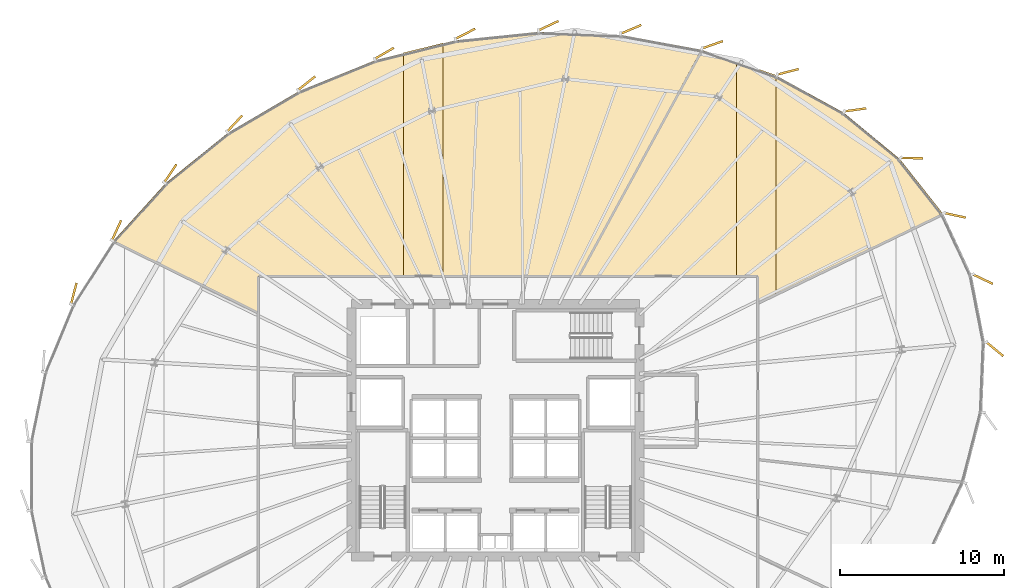
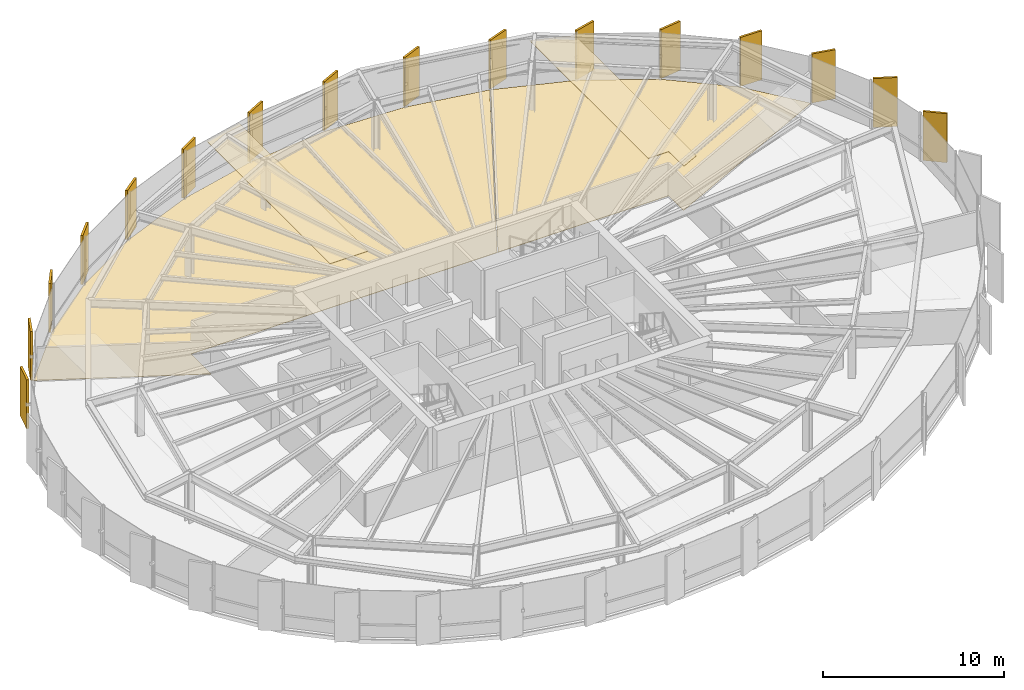
# One storey, part 35 of 35: 20 coverings.
"""IFC4 building model written with IfcOpenShell, lengths in metres."""

from ifc_helpers import new_model, si_unit, direction, frame, origin, origin_2d, place, context, subcontext, project, spatial, polyline, rectangle, outline, extrude, source, transform, mapped, material, layer, layer_set, type_object, element, save


model = new_model("IFC4")

# Units and contexts
model_context = context("Model", 3, precision=1e-05, world=origin(), true_north=direction((0.0, 1.0)))
body_context = subcontext(model_context, "Body", "Model", "MODEL_VIEW")
ifc_project = project(units=[si_unit("LENGTHUNIT", "METRE"), si_unit("AREAUNIT", "SQUARE_METRE"), si_unit("VOLUMEUNIT", "CUBIC_METRE"), si_unit("PLANEANGLEUNIT", "RADIAN"), si_unit("MASSUNIT", "GRAM", prefix="KILO"), si_unit("THERMODYNAMICTEMPERATUREUNIT", "KELVIN")], contexts=[model_context])

# Site, building, storey
site_placement = place(None, origin())
site = spatial("IfcSite", under=ifc_project, at=site_placement, CompositionType="ELEMENT")
building_placement = place(site_placement, origin())
building = spatial("IfcBuilding", under=site, at=building_placement, Name="Kethvar Cultural Tower", CompositionType="ELEMENT")
storey_placement = place(building_placement, frame((0.0, 0.0, 107.199951171875)))
storey = spatial("IfcBuildingStorey", under=building, at=storey_placement, Name="L26", CompositionType="ELEMENT", Elevation=107.199951171875)

# Coverings
ifc_material_1 = material(Name="Acoustic Mineral Fibre Ceiling")
ifc_layer_1 = layer(ifc_material_1, 0.0400390625, Name="Acoustic Mineral Fibre Ceiling")
ifc_layer_set_1 = layer_set([ifc_layer_1], Name="Acoustic Mineral Fibre Ceiling (40 mm)")
covering_type_1 = type_object("IfcCoveringType", Name="CV-ACOUSTIC-CEIL", PredefinedType="CEILING", material=ifc_layer_set_1)
covering_1_placement = place(storey_placement, frame((0.0, 0.0, 3.0)))
element("IfcCovering", 1, at=covering_1_placement, inside=storey, type_object=covering_type_1, Name="L26 Room 04 Acoustic Ceiling Panel", PredefinedType="CEILING", context=body_context, shape_type="SweptSolid", body=[
    extrude(outline(polyline([(62.838623046875, 35.534423828125), (62.81005859375, 37.179931640625), (61.512939453125, 37.179931640625), (61.512939453125, 50.32568359375), (63.943115234375, 49.481201171875), (63.943115234375, 36.068603515625), (62.838623046875, 35.534423828125)])), origin(), (0.0, 0.0, 1.0), 0.0400390625),
])
covering_2_placement = place(storey_placement, frame((0.0, 0.0, 3.0)))
element("IfcCovering", 2, at=covering_2_placement, inside=storey, type_object=covering_type_1, Name="L26 Room 05 Acoustic Ceiling Panel", PredefinedType="CEILING", context=body_context, shape_type="SweptSolid", body=[
    extrude(outline(polyline([(43.61279296875, 51.4541015625), (43.61279296875, 37.179931640625), (41.182861328125, 37.179931640625), (41.182861328125, 50.852294921875), (43.61279296875, 51.4541015625)])), origin(), (0.0, 0.0, 1.0), 0.0400390625),
])
ifc_material_2 = material(Name="Architectural Oak Timber", Category="wood")
ifc_layer_2 = layer(ifc_material_2, 0.02490234375, Name="Architectural Oak Timber", Category="wood")
ifc_layer_set_2 = layer_set([ifc_layer_2], Name="Architectural Oak Timber (25 mm)")
covering_type_2 = type_object("IfcCoveringType", Name="CV-OAK-FLOOR", PredefinedType="FLOORING", material=ifc_layer_set_2)
covering_3_placement = place(storey_placement, origin())
element("IfcCovering", 3, at=covering_3_placement, inside=storey, type_object=covering_type_2, Name="L26 Room 04 Floor Finish", PredefinedType="FLOORING", context=body_context, shape_type="SweptSolid", body=[
    extrude(outline(polyline([(63.974853515625, 49.427978515625), (68.0576171875, 47.189208984375), (71.486328125, 44.35888671875), (74.1123046875, 41.031005859375), (62.85009765625, 35.58447265625), (62.833984375, 37.219482421875), (51.93115234375, 37.219970703125), (59.4111328125, 51.013427734375), (63.974853515625, 49.427978515625)])), origin(), (0.0, 0.0, 1.0), 0.025146484375),
])
covering_4_placement = place(storey_placement, origin())
element("IfcCovering", 4, at=covering_4_placement, inside=storey, type_object=covering_type_2, Name="L26 Room 05 Floor Finish", PredefinedType="FLOORING", context=body_context, shape_type="SweptSolid", body=[
    extrude(outline(polyline([(26.666748046875, 42.88134765625), (30.4794921875, 45.9599609375), (34.7880859375, 48.486572265625), (39.4619140625, 50.384521484375), (44.377685546875, 51.602294921875), (49.433837890625, 52.118408203125), (54.492919921875, 51.92236328125), (59.370849609375, 51.023193359375), (51.885498046875, 37.219970703125), (32.327880859375, 37.219970703125), (32.31005859375, 34.993896484375), (23.48291015625, 39.36279296875), (26.666748046875, 42.88134765625)])), origin(), (0.0, 0.0, 1.0), 0.025146484375),
])
ifc_material_3 = material(Name="Extruded Architectural Terracotta", Category="masonry")
ifc_layer_3 = layer(ifc_material_3, 0.135009765625, Name="Extruded Architectural Terracotta", Category="masonry")
ifc_layer_set_3 = layer_set([ifc_layer_3], Name="Extruded Architectural Terracotta (135 mm)")
covering_type_3 = type_object("IfcCoveringType", Name="Terracotta Facade Fin FIN-02", PredefinedType="CLADDING", material=ifc_layer_set_3)
shared_shape = source(origin(), body_context, "Body", "SweptSolid", [
    extrude(rectangle(XDim=1.35009765625, YDim=0.135009765625, at=origin_2d()), origin(), (0.0, 0.0, 1.0), 3.31005859375),
])
for number, where, z_axis, x_axis, name in (
    (5, (76.560546875, 37.03271484375, 0.02001953125), (0.0, 0.0, 1.0), (0.903185511225, -0.429250430767, 0.0), "L26 Vertical Terracotta Fin 1.1"),
    (6, (74.865478515625, 40.9287109375, 0.02001953125), (0.0, 0.0, 1.0), (0.976709741843, -0.214564862428, 0.0), "L26 Vertical Terracotta Fin 1.2"),
    (7, (72.2265625, 44.419921875, 0.02001953125), (0.0, 0.0, 1.0), (0.999765819268, -0.021640393312, 0.0), "L26 Vertical Terracotta Fin 1.3"),
    (8, (68.776123046875, 47.36669921875, 0.02001953125), (0.0, 0.0, 1.0), (0.99093636934, 0.134332095642, 0.0), "L26 Vertical Terracotta Fin 1.4"),
    (9, (64.66259765625, 49.69140625, 0.02001953125), (0.0, 0.0, 1.0), (0.96792877399, 0.251224776808, 0.0), "L26 Vertical Terracotta Fin 1.5"),
    (10, (60.052490234375, 51.341796875, 0.02001953125), (0.0, 0.0, 1.0), (0.942816142732, 0.333313247568, 0.0), "L26 Vertical Terracotta Fin 1.6"),
    (11, (55.08154296875, 52.285400390625, 0.02001953125), (0.0, 0.0, 1.0), (0.921795503319, 0.387676476022, 0.0), "L26 Vertical Terracotta Fin 2.1"),
    (12, (50.035888671875, 52.505615234375, 0.02001953125), (0.0, 0.0, 1.0), (0.904827052466, 0.425779291565, 0.0), "L26 Vertical Terracotta Fin 2.2"),
    (13, (44.955322265625, 52.0087890625, 0.02001953125), (0.0, 0.0, 1.0), (0.889176915468, 0.457563561703, 0.0), "L26 Vertical Terracotta Fin 2.3"),
    (14, (40.009521484375, 50.81640625, 0.02001953125), (0.0, 0.0, 1.0), (0.865063877257, 0.501661726928, 0.0), "L26 Vertical Terracotta Fin 2.4"),
    (15, (35.267822265625, 48.992919921875, 0.02001953125), (0.0, 0.0, 1.0), (0.783801856128, 0.621010990507, 0.0), "L26 Vertical Terracotta Fin 2.5"),
    (16, (30.878662109375, 46.531494140625, 0.02001953125), (0.0, 0.0, 1.0), (0.683018857343, 0.730400739673, 0.0), "L26 Vertical Terracotta Fin 2.6"),
    (17, (26.9462890625, 43.479248046875, 0.02001953125), (0.0, 0.0, 1.0), (0.561216953062, 0.827668733006, 0.0), "L26 Vertical Terracotta Fin 3.1"),
    (18, (23.66455078125, 40.01318359375, 0.02001953125), (0.0, 0.0, 1.0), (0.417232713662, 0.908799682356, 0.0), "L26 Vertical Terracotta Fin 3.2"),
    (19, (21.052001953125, 36.150390625, 0.02001953125), (0.0, 0.0, 1.0), (0.250380004054, 0.968147640378, 0.0), "L26 Vertical Terracotta Fin 3.3"),
    (20, (77.292724609375, 32.7587890625, 0.02001953125), (0.0, 0.0, 1.0), (0.770624482513, -0.637289500111, 0.0), "L26 Vertical Terracotta Fin 6.6"),
):
    element("IfcCovering", number, at=place(storey_placement, frame(where, z_axis=z_axis, x_axis=x_axis)), inside=storey, type_object=covering_type_3, Name=name, PredefinedType="CLADDING", context=body_context, shape_type="MappedRepresentation", body=[
        mapped(shared_shape, transform((0.0, 0.0, 0.0), scale=1.0)),
    ])

save(model, "model.ifc")
